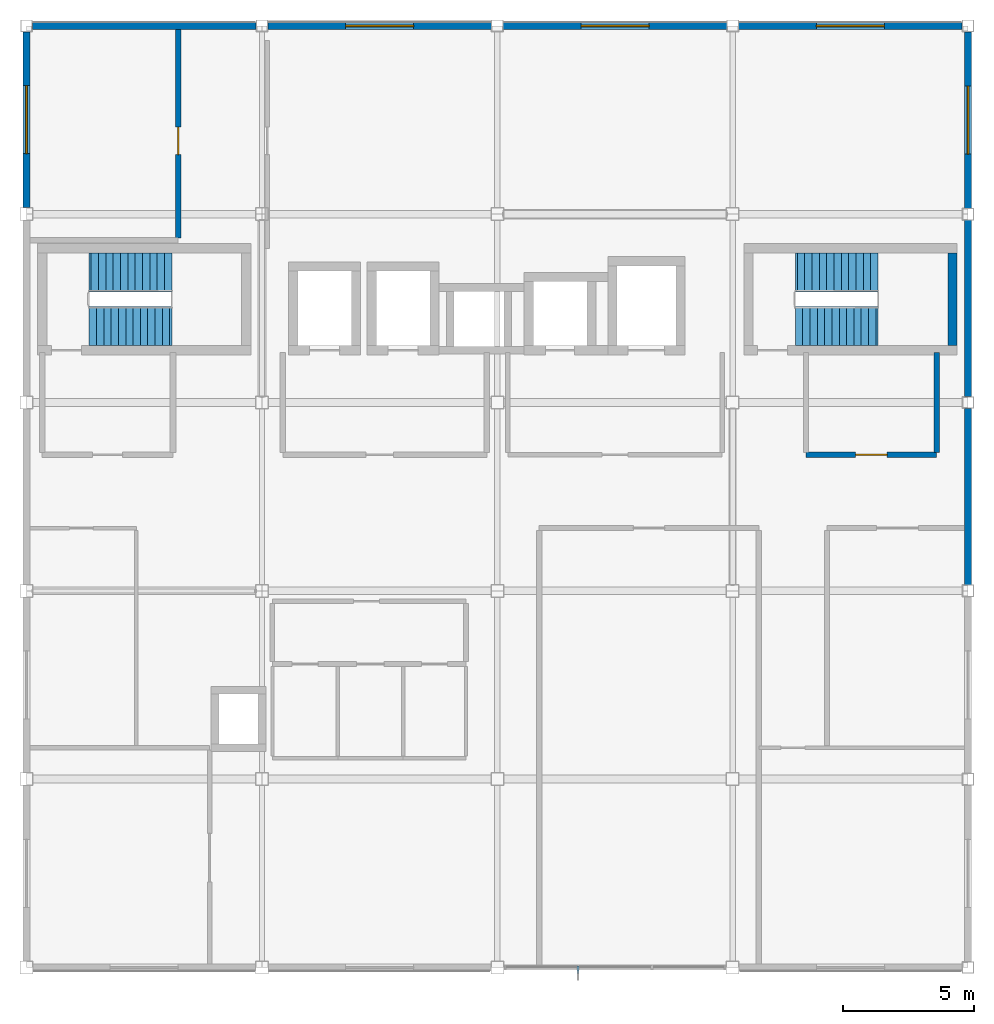
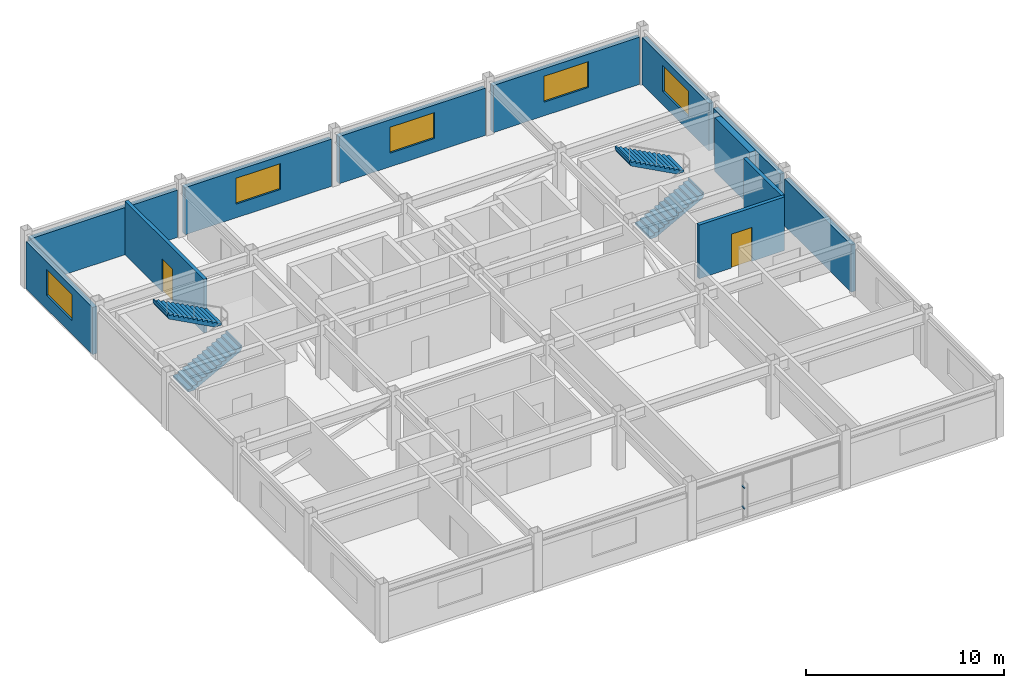
# One storey, part 6 of 7: 12 walls, 5 windows, 4 stair flights, 2 discrete accessories, 2 doors, 7 openings, 2 elements without a shape of their own.
"""IFC4 building model written with IfcOpenShell, lengths in metres."""

from ifc_helpers import new_model, si_unit, direction, frame, frame_2d, origin, origin_2d, place, context, subcontext, project, spatial, polyline, rectangle, outline, extrude, material, layer, layer_set, type_object, element, fill, aggregate, save


model = new_model("IFC4")

# Units and contexts
model_context = context("Model", 3, precision=1e-05, world=origin(), true_north=direction((0.0, 1.0)))
body_context = subcontext(model_context, "Body", "Model", "MODEL_VIEW")
ifc_project = project(units=[si_unit("LENGTHUNIT", "METRE"), si_unit("AREAUNIT", "SQUARE_METRE"), si_unit("VOLUMEUNIT", "CUBIC_METRE"), si_unit("PLANEANGLEUNIT", "RADIAN"), si_unit("MASSUNIT", "GRAM", prefix="KILO")], contexts=[model_context])

# Site, building, storey
site_placement = place(None, origin())
site = spatial("IfcSite", under=ifc_project, at=site_placement, CompositionType="ELEMENT")
building_placement = place(site_placement, origin())
building = spatial("IfcBuilding", under=site, at=building_placement, Name="Kazanami Central Library", CompositionType="ELEMENT")
storey_placement = place(building_placement, frame((0.0, 0.0, 27.800048828125)))
storey = spatial("IfcBuildingStorey", under=building, at=storey_placement, Name="L08", CompositionType="ELEMENT", Elevation=27.800048828125)

# Wall
ifc_material_1 = material(Name="Concrete Fc36 (36 MPa)", Category="concrete")
ifc_layer_1 = layer(ifc_material_1, 0.179931640625, Name="Concrete Fc36 (36 MPa)")
ifc_material_2 = material(Name="Extruded Polystyrene XPS", Category="earth")
ifc_layer_2 = layer(ifc_material_2, 0.050048828125, Name="Extruded Polystyrene XPS")
ifc_material_3 = material(Name="Honed Inada Granite", Category="masonry")
ifc_layer_3 = layer(ifc_material_3, 0.030029296875, Name="Honed Inada Granite")
ifc_layer_set_1 = layer_set([ifc_layer_1, ifc_layer_2, ifc_layer_3], Name="Concrete Fc36 (36 MPa)")
wall_type_1 = type_object("IfcWallType", Name="WAL-EW-260", PredefinedType="STANDARD", material=ifc_layer_set_1)
wall_1_placement = place(storey_placement, frame((134.77490234375, 93.60009765625, 0.0), z_axis=(0.0, 0.0, 1.0), x_axis=(-1.0, 0.0, 0.0)))
element("IfcWall", 1, at=wall_1_placement, inside=storey, type_object=wall_type_1, Name="Exterior Facade Wall EW-260 L08 N-O-14", PredefinedType="STANDARD", context=body_context, shape_type="SweptSolid", body=[
    extrude(rectangle(XDim=8.5498046875, YDim=0.260009765625, at=frame_2d((4.27490234375, 0.0))), origin(), (0.0, 0.0, 1.0), 2.9150390625),
])

# Wall, opening, window
wall_2_placement = place(storey_placement, frame((143.77490234375, 93.60009765625, 0.0), z_axis=(0.0, 0.0, 1.0), x_axis=(-1.0, 0.0, 0.0)))
wall_2 = element("IfcWall", 2, at=wall_2_placement, inside=storey, type_object=wall_type_1, Name="Exterior Facade Wall EW-260 L08 N-O-15", PredefinedType="STANDARD", context=body_context, shape_type="SweptSolid", body=[
    extrude(rectangle(XDim=8.5498046875, YDim=0.260009765625, at=frame_2d((4.27490234375, 0.0))), origin(), (0.0, 0.0, 1.0), 2.9150390625),
])
opening_1_placement = place(wall_2_placement, frame((2.97509765625, 0.0, 0.85009765625)))
opening_1 = element("IfcOpeningElement", 3, at=opening_1_placement, cuts=wall_2, Name="Opening WN-13", PredefinedType="OPENING", context=body_context, shape_type="SweptSolid", body=[
    extrude(rectangle(XDim=2.60009765625, YDim=1.60009765625, at=frame_2d((1.300048828125, 0.800048828125))), frame((0.0, 0.14208984375, 0.0), z_axis=(0.0, -1.0, 0.0), x_axis=(1.0, 0.0, 0.0)), (0.0, 0.0, 1.0), 0.283935546875),
])
ifc_material_4 = material(Name="Low-E Insulated Triple Glass", Category="glass")
window_type = type_object("IfcWindowType", Name="WIN-WN-13", PartitioningType="DOUBLE_PANEL_VERTICAL", PredefinedType="WINDOW", material=ifc_material_4)
window_1_placement = place(opening_1_placement, origin())
window_1 = element("IfcWindow", 4, at=window_1_placement, inside=storey, type_object=window_type, Name="Facade Window WN-13 L08 N-O-15", OverallHeight=1.60009765625, OverallWidth=2.60009765625, PartitioningType="DOUBLE_PANEL_VERTICAL", PredefinedType="WINDOW", context=body_context, shape_type="SweptSolid", body=[
    extrude(rectangle(XDim=2.60009765625, YDim=1.60009765625, at=frame_2d((1.300048828125, 0.800048828125))), frame((0.0, 0.030029296875, 0.0), z_axis=(0.0, -1.0, 0.0), x_axis=(1.0, 0.0, 0.0)), (0.0, 0.0, 1.0), 0.06005859375),
])
fill(opening_1, window_1)

wall_3_placement = place(storey_placement, frame((152.77490234375, 93.60009765625, 0.0), z_axis=(0.0, 0.0, 1.0), x_axis=(-1.0, 0.0, 0.0)))
wall_3 = element("IfcWall", 5, at=wall_3_placement, inside=storey, type_object=wall_type_1, Name="Exterior Facade Wall EW-260 L08 N-O-16", PredefinedType="STANDARD", context=body_context, shape_type="SweptSolid", body=[
    extrude(rectangle(XDim=8.5498046875, YDim=0.260009765625, at=frame_2d((4.27490234375, 0.0))), origin(), (0.0, 0.0, 1.0), 2.9150390625),
])
opening_2_placement = place(wall_3_placement, frame((2.97509765625, 0.0, 0.85009765625)))
opening_2 = element("IfcOpeningElement", 6, at=opening_2_placement, cuts=wall_3, Name="Opening WN-13", PredefinedType="OPENING", context=body_context, shape_type="SweptSolid", body=[
    extrude(rectangle(XDim=2.60009765625, YDim=1.60009765625, at=frame_2d((1.300048828125, 0.800048828125))), frame((0.0, 0.14208984375, 0.0), z_axis=(0.0, -1.0, 0.0), x_axis=(1.0, 0.0, 0.0)), (0.0, 0.0, 1.0), 0.283935546875),
])
window_2_placement = place(opening_2_placement, origin())
window_2 = element("IfcWindow", 7, at=window_2_placement, inside=storey, type_object=window_type, Name="Facade Window WN-13 L08 N-O-16", OverallHeight=1.60009765625, OverallWidth=2.60009765625, PartitioningType="DOUBLE_PANEL_VERTICAL", PredefinedType="WINDOW", context=body_context, shape_type="SweptSolid", body=[
    extrude(rectangle(XDim=2.60009765625, YDim=1.60009765625, at=frame_2d((1.300048828125, 0.800048828125))), frame((0.0, 0.030029296875, 0.0), z_axis=(0.0, -1.0, 0.0), x_axis=(1.0, 0.0, 0.0)), (0.0, 0.0, 1.0), 0.06005859375),
])
fill(opening_2, window_2)

wall_4_placement = place(storey_placement, frame((161.77490234375, 93.60009765625, 0.0), z_axis=(0.0, 0.0, 1.0), x_axis=(-1.0, 0.0, 0.0)))
wall_4 = element("IfcWall", 8, at=wall_4_placement, inside=storey, type_object=wall_type_1, Name="Exterior Facade Wall EW-260 L08 N-O-17", PredefinedType="STANDARD", context=body_context, shape_type="SweptSolid", body=[
    extrude(rectangle(XDim=8.5498046875, YDim=0.260009765625, at=frame_2d((4.27490234375, 0.0))), origin(), (0.0, 0.0, 1.0), 2.9150390625),
])
opening_3_placement = place(wall_4_placement, frame((2.97509765625, 0.0, 0.85009765625)))
opening_3 = element("IfcOpeningElement", 9, at=opening_3_placement, cuts=wall_4, Name="Opening WN-13", PredefinedType="OPENING", context=body_context, shape_type="SweptSolid", body=[
    extrude(rectangle(XDim=2.60009765625, YDim=1.60009765625, at=frame_2d((1.300048828125, 0.800048828125))), frame((0.0, 0.14208984375, 0.0), z_axis=(0.0, -1.0, 0.0), x_axis=(1.0, 0.0, 0.0)), (0.0, 0.0, 1.0), 0.283935546875),
])
window_3_placement = place(opening_3_placement, origin())
window_3 = element("IfcWindow", 10, at=window_3_placement, inside=storey, type_object=window_type, Name="Facade Window WN-13 L08 N-O-17", OverallHeight=1.60009765625, OverallWidth=2.60009765625, PartitioningType="DOUBLE_PANEL_VERTICAL", PredefinedType="WINDOW", context=body_context, shape_type="SweptSolid", body=[
    extrude(rectangle(XDim=2.60009765625, YDim=1.60009765625, at=frame_2d((1.300048828125, 0.800048828125))), frame((0.0, 0.030029296875, 0.0), z_axis=(0.0, -1.0, 0.0), x_axis=(1.0, 0.0, 0.0)), (0.0, 0.0, 1.0), 0.06005859375),
])
fill(opening_3, window_3)

wall_5_placement = place(storey_placement, frame((126.0, 86.64990234375, 0.0), z_axis=(0.0, 0.0, 1.0), x_axis=(0.0, 1.0, 0.0)))
wall_5 = element("IfcWall", 11, at=wall_5_placement, inside=storey, type_object=wall_type_1, Name="Exterior Facade Wall EW-260 L08 W-15-12", PredefinedType="STANDARD", context=body_context, shape_type="SweptSolid", body=[
    extrude(rectangle(XDim=6.72509765625, YDim=0.260009765625, at=frame_2d((3.362548828125, 0.0))), origin(), (0.0, 0.0, 1.0), 2.9150390625),
])
opening_4_placement = place(wall_5_placement, frame((2.0625, 0.0, 0.85009765625)))
opening_4 = element("IfcOpeningElement", 12, at=opening_4_placement, cuts=wall_5, Name="Opening WN-13", PredefinedType="OPENING", context=body_context, shape_type="SweptSolid", body=[
    extrude(rectangle(XDim=2.60009765625, YDim=1.60009765625, at=frame_2d((1.300048828125, 0.800048828125))), frame((0.0, 0.14208984375, 0.0), z_axis=(0.0, -1.0, 0.0), x_axis=(1.0, 0.0, 0.0)), (0.0, 0.0, 1.0), 0.283935546875),
])
window_4_placement = place(opening_4_placement, origin())
window_4 = element("IfcWindow", 13, at=window_4_placement, inside=storey, type_object=window_type, Name="Facade Window WN-13 L08 W-15-12", OverallHeight=1.60009765625, OverallWidth=2.60009765625, PartitioningType="DOUBLE_PANEL_VERTICAL", PredefinedType="WINDOW", context=body_context, shape_type="SweptSolid", body=[
    extrude(rectangle(XDim=2.60009765625, YDim=1.60009765625, at=frame_2d((1.300048828125, 0.800048828125))), frame((0.0, 0.030029296875, 0.0), z_axis=(0.0, -1.0, 0.0), x_axis=(1.0, 0.0, 0.0)), (0.0, 0.0, 1.0), 0.06005859375),
])
fill(opening_4, window_4)

# Walls
for number, where, z_axis, x_axis, name in (
    (14, (162.0, 78.97509765625, 0.0), (0.0, 0.0, 1.0), (0.0, -1.0, 0.0), "Exterior Facade Wall EW-260 L08 E-19-10"),
    (15, (162.0, 86.175048828125, 0.0), (0.0, 0.0, 1.0), (0.0, -1.0, 0.0), "Exterior Facade Wall EW-260 L08 E-19-11"),
):
    element("IfcWall", number, at=place(storey_placement, frame(where, z_axis=z_axis, x_axis=x_axis)), inside=storey, type_object=wall_type_1, Name=name, PredefinedType="STANDARD", context=body_context, shape_type="SweptSolid", body=[
        extrude(rectangle(XDim=6.75, YDim=0.260009765625, at=frame_2d((3.375, 0.0))), origin(), (0.0, 0.0, 1.0), 2.9150390625),
    ])

# Wall, opening, window
wall_6_placement = place(storey_placement, frame((162.0, 93.375, 0.0), z_axis=(0.0, 0.0, 1.0), x_axis=(0.0, -1.0, 0.0)))
wall_6 = element("IfcWall", 16, at=wall_6_placement, inside=storey, type_object=wall_type_1, Name="Exterior Facade Wall EW-260 L08 E-19-12", PredefinedType="STANDARD", context=body_context, shape_type="SweptSolid", body=[
    extrude(rectangle(XDim=6.75, YDim=0.260009765625, at=frame_2d((3.375, 0.0))), origin(), (0.0, 0.0, 1.0), 2.9150390625),
])
opening_5_placement = place(wall_6_placement, frame((2.074951171875, 0.0, 0.85009765625)))
opening_5 = element("IfcOpeningElement", 17, at=opening_5_placement, cuts=wall_6, Name="Opening WN-13", PredefinedType="OPENING", context=body_context, shape_type="SweptSolid", body=[
    extrude(rectangle(XDim=2.60009765625, YDim=1.60009765625, at=frame_2d((1.300048828125, 0.800048828125))), frame((0.0, 0.14208984375, 0.0), z_axis=(0.0, -1.0, 0.0), x_axis=(1.0, 0.0, 0.0)), (0.0, 0.0, 1.0), 0.283935546875),
])
window_5_placement = place(opening_5_placement, origin())
window_5 = element("IfcWindow", 18, at=window_5_placement, inside=storey, type_object=window_type, Name="Facade Window WN-13 L08 E-19-12", OverallHeight=1.60009765625, OverallWidth=2.60009765625, PartitioningType="DOUBLE_PANEL_VERTICAL", PredefinedType="WINDOW", context=body_context, shape_type="SweptSolid", body=[
    extrude(rectangle(XDim=2.60009765625, YDim=1.60009765625, at=frame_2d((1.300048828125, 0.800048828125))), frame((0.0, 0.030029296875, 0.0), z_axis=(0.0, -1.0, 0.0), x_axis=(1.0, 0.0, 0.0)), (0.0, 0.0, 1.0), 0.06005859375),
])
fill(opening_5, window_5)

# Wall, opening, door
ifc_material_5 = material(Name="Fire-Resistant Gypsum Board GB-F", Category="gypsum")
ifc_layer_4 = layer(ifc_material_5, 0.199951171875, Name="Fire-Resistant Gypsum Board GB-F")
ifc_layer_set_2 = layer_set([ifc_layer_4], Name="Fire-Resistant Gypsum Board GB-F")
wall_type_2 = type_object("IfcWallType", Name="WAL-FW-200", PredefinedType="PARTITIONING", material=ifc_layer_set_2)
wall_7_placement = place(storey_placement, frame((155.800048828125, 77.199951171875, 0.0), z_axis=(0.0, 0.0, 1.0), x_axis=(1.0, 0.0, 0.0)))
wall_7 = element("IfcWall", 19, at=wall_7_placement, inside=storey, type_object=wall_type_2, Name="Interior Partition FW-200 L08 VEST-ST-02 (South)", PredefinedType="PARTITIONING", context=body_context, shape_type="SweptSolid", body=[
    extrude(rectangle(XDim=5.0, YDim=0.199951171875, at=frame_2d((2.5, 0.0))), origin(), (0.0, 0.0, 1.0), 3.31494140625),
])
opening_6_placement = place(wall_7_placement, frame((1.89990234375, 0.0, 0.0)))
opening_6 = element("IfcOpeningElement", 20, at=opening_6_placement, cuts=wall_7, Name="Opening FD60-1", PredefinedType="OPENING", context=body_context, shape_type="SweptSolid", body=[
    extrude(rectangle(XDim=1.199951171875, YDim=2.10009765625, at=frame_2d((0.60009765625, 1.050048828125))), frame((0.0, 0.11181640625, 0.0), z_axis=(0.0, -1.0, 0.0), x_axis=(1.0, 0.0, 0.0)), (0.0, 0.0, 1.0), 0.223876953125),
])
ifc_material_6 = material(Name="Cold-Rolled Steel SPCC", Category="steel")
door_type_1 = type_object("IfcDoorType", Name="DOR-FD60-1", OperationType="NOTDEFINED", PredefinedType="DOOR", material=ifc_material_6)
door_1_placement = place(opening_6_placement, origin())
door_1 = element("IfcDoor", 21, at=door_1_placement, inside=storey, type_object=door_type_1, Name="Interior Door FD60-1 L08 VEST-ST-02", OperationType="SINGLE_SWING_RIGHT", OverallHeight=2.10009765625, OverallWidth=1.199951171875, PredefinedType="DOOR", context=body_context, shape_type="SweptSolid", body=[
    extrude(rectangle(XDim=1.199951171875, YDim=2.10009765625, at=frame_2d((0.60009765625, 1.050048828125))), frame((0.0, 0.02490234375, 0.0), z_axis=(0.0, -1.0, 0.0), x_axis=(1.0, 0.0, 0.0)), (0.0, 0.0, 1.0), 0.050048828125),
])
fill(opening_6, door_1)

# Wall
wall_8_placement = place(storey_placement, frame((160.800048828125, 77.2900390625, 0.0), z_axis=(0.0, 0.0, 1.0), x_axis=(0.0, 1.0, 0.0)))
element("IfcWall", 22, at=wall_8_placement, inside=storey, type_object=wall_type_2, Name="Interior Partition FW-200 L08 VEST-ST-02 (East)", PredefinedType="PARTITIONING", context=body_context, shape_type="SweptSolid", body=[
    extrude(rectangle(XDim=3.820068359375, YDim=0.199951171875, at=frame_2d((1.91015625, 0.0))), origin(), (0.0, 0.0, 1.0), 3.31494140625),
])

# Wall, opening, door
wall_9_placement = place(storey_placement, frame((131.800048828125, 85.489990234375, 0.0), z_axis=(0.0, 0.0, 1.0), x_axis=(0.0, 1.0, 0.0)))
wall_9 = element("IfcWall", 23, at=wall_9_placement, inside=storey, type_object=wall_type_2, Name="Interior Partition FW-200 L08 RM-13 (East)", PredefinedType="PARTITIONING", context=body_context, shape_type="SweptSolid", body=[
    extrude(rectangle(XDim=7.97509765625, YDim=0.199951171875, at=frame_2d((3.987548828125, 0.0))), origin(), (0.0, 0.0, 1.0), 3.31494140625),
])
opening_7_placement = place(wall_9_placement, frame((3.18505859375, 0.0, 0.0)))
opening_7 = element("IfcOpeningElement", 24, at=opening_7_placement, cuts=wall_9, Name="Opening FD60-8", PredefinedType="OPENING", context=body_context, shape_type="SweptSolid", body=[
    extrude(rectangle(XDim=1.050048828125, YDim=2.02001953125, at=frame_2d((0.52490234375, 1.010009765625))), frame((0.0, 0.11181640625, 0.0), z_axis=(0.0, -1.0, 0.0), x_axis=(1.0, 0.0, 0.0)), (0.0, 0.0, 1.0), 0.223876953125),
])
door_type_2 = type_object("IfcDoorType", Name="DOR-FD60-8", OperationType="NOTDEFINED", PredefinedType="DOOR", material=ifc_material_6)
door_2_placement = place(opening_7_placement, origin())
door_2 = element("IfcDoor", 25, at=door_2_placement, inside=storey, type_object=door_type_2, Name="Interior Door FD60-8 L08 RM-13", OperationType="SINGLE_SWING_RIGHT", OverallHeight=2.02001953125, OverallWidth=1.050048828125, PredefinedType="DOOR", context=body_context, shape_type="SweptSolid", body=[
    extrude(rectangle(XDim=1.050048828125, YDim=2.02001953125, at=frame_2d((0.52490234375, 1.010009765625))), frame((0.0, 0.02490234375, 0.0), z_axis=(0.0, -1.0, 0.0), x_axis=(1.0, 0.0, 0.0)), (0.0, 0.0, 1.0), 0.050048828125),
])
fill(opening_7, door_2)

# Wall
ifc_layer_5 = layer(ifc_material_1, 0.35009765625, Name="Concrete Fc36 (36 MPa)")
ifc_layer_set_3 = layer_set([ifc_layer_5], Name="Concrete Fc36 (36 MPa)")
wall_type_3 = type_object("IfcWallType", Name="WAL-SW-350", PredefinedType="SHEAR", material=ifc_layer_set_3)
wall_10_placement = place(storey_placement, frame((161.39990234375, 81.375, 0.0), z_axis=(0.0, 0.0, 1.0), x_axis=(0.0, 1.0, 0.0)))
element("IfcWall", 26, at=wall_10_placement, inside=storey, type_object=wall_type_3, Name="Stair Core Wall ST-02 East L08", PredefinedType="SHEAR", context=body_context, shape_type="SweptSolid", body=[
    extrude(rectangle(XDim=3.550048828125, YDim=0.35009765625, at=frame_2d((1.77490234375, 0.0))), origin(), (0.0, 0.0, 1.0), 3.31494140625),
])

# Stair, stair flights
stair_type = type_object("IfcStairType", Name="STR-T36", PredefinedType="HALF_TURN_STAIR", material=ifc_material_1)
stair_1_placement = place(storey_placement, origin())
stair_1 = element("IfcStair", 27, at=stair_1_placement, inside=storey, type_object=stair_type, Name="Enclosed Escape Stair ST-01 (L08)", PredefinedType="HALF_TURN_STAIR")
stair_flight_type = type_object("IfcStairFlightType", Name="FLT-STR-T36", PredefinedType="STRAIGHT", material=ifc_material_1)
stair_flight_1_placement = place(storey_placement, frame((128.39404296875, 82.125, 0.0), z_axis=(0.0, 0.0, 1.0), x_axis=(1.0, 0.0, 0.0)))
stair_flight_1 = element("IfcStairFlight", 28, at=stair_flight_1_placement, type_object=stair_flight_type, Name="ST-01 flight 1", NumberOfRisers=12, NumberOfTreads=11, PredefinedType="STRAIGHT", RiserHeight=0.15, TreadLength=0.28, context=body_context, shape_type="SweptSolid", body=[
    extrude(outline(polyline([(0.0, 0.0), (0.0, 0.14990234375), (0.280029296875, 0.14990234375), (0.280029296875, 0.300048828125), (0.56005859375, 0.300048828125), (0.56005859375, 0.449951171875), (0.840087890625, 0.449951171875), (0.840087890625, 0.60009765625), (1.1201171875, 0.60009765625), (1.1201171875, 0.75), (1.39990234375, 0.75), (1.39990234375, 0.89990234375), (1.679931640625, 0.89990234375), (1.679931640625, 1.050048828125), (1.9599609375, 1.050048828125), (1.9599609375, 1.199951171875), (2.239990234375, 1.199951171875), (2.239990234375, 1.35009765625), (2.52001953125, 1.35009765625), (2.52001953125, 1.5), (2.800048828125, 1.5), (2.800048828125, 1.64990234375), (3.080078125, 1.64990234375), (3.080078125, 1.800048828125), (3.16015625, 1.800048828125), (3.16015625, 1.6201171875), (3.080078125, 1.44580078125), (0.381103515625, 0.0), (0.0, 0.0)])), frame((0.0, 0.75, 0.0), z_axis=(0.0, -1.0, 0.0), x_axis=(1.0, 0.0, 0.0)), (0.0, 0.0, 1.0), 1.5),
])
stair_flight_2_placement = place(storey_placement, frame((131.553955078125, 84.175048828125, 1.800048828125), z_axis=(0.0, 0.0, 1.0), x_axis=(-1.0, 0.0, 0.0)))
stair_flight_2 = element("IfcStairFlight", 29, at=stair_flight_2_placement, type_object=stair_flight_type, Name="ST-01 flight 2", NumberOfRisers=12, NumberOfTreads=11, PredefinedType="STRAIGHT", RiserHeight=0.15, TreadLength=0.28, context=body_context, shape_type="SweptSolid", body=[
    extrude(outline(polyline([(0.0, 0.0), (0.0, 0.14990234375), (0.280029296875, 0.14990234375), (0.280029296875, 0.300048828125), (0.56005859375, 0.300048828125), (0.56005859375, 0.449951171875), (0.840087890625, 0.449951171875), (0.840087890625, 0.60009765625), (1.1201171875, 0.60009765625), (1.1201171875, 0.75), (1.39990234375, 0.75), (1.39990234375, 0.89990234375), (1.679931640625, 0.89990234375), (1.679931640625, 1.050048828125), (1.9599609375, 1.050048828125), (1.9599609375, 1.199951171875), (2.239990234375, 1.199951171875), (2.239990234375, 1.35009765625), (2.52001953125, 1.35009765625), (2.52001953125, 1.5), (2.800048828125, 1.5), (2.800048828125, 1.64990234375), (3.080078125, 1.64990234375), (3.080078125, 1.800048828125), (3.16015625, 1.800048828125), (3.16015625, 1.6201171875), (3.080078125, 1.44580078125), (0.381103515625, 0.0), (0.0, 0.0)])), frame((0.0, 0.75, 0.0), z_axis=(0.0, -1.0, 0.0), x_axis=(1.0, 0.0, 0.0)), (0.0, 0.0, 1.0), 1.5),
])
aggregate(stair_1, [stair_flight_1, stair_flight_2])

stair_2_placement = place(storey_placement, origin())
stair_2 = element("IfcStair", 30, at=stair_2_placement, inside=storey, type_object=stair_type, Name="Enclosed Escape Stair ST-02 (L08)", PredefinedType="HALF_TURN_STAIR")
stair_flight_3_placement = place(storey_placement, frame((155.39404296875, 82.125, 0.0), z_axis=(0.0, 0.0, 1.0), x_axis=(1.0, 0.0, 0.0)))
stair_flight_3 = element("IfcStairFlight", 31, at=stair_flight_3_placement, type_object=stair_flight_type, Name="ST-02 flight 1", NumberOfRisers=12, NumberOfTreads=11, PredefinedType="STRAIGHT", RiserHeight=0.15, TreadLength=0.28, context=body_context, shape_type="SweptSolid", body=[
    extrude(outline(polyline([(0.0, 0.0), (0.0, 0.14990234375), (0.280029296875, 0.14990234375), (0.280029296875, 0.300048828125), (0.56005859375, 0.300048828125), (0.56005859375, 0.449951171875), (0.840087890625, 0.449951171875), (0.840087890625, 0.60009765625), (1.1201171875, 0.60009765625), (1.1201171875, 0.75), (1.39990234375, 0.75), (1.39990234375, 0.89990234375), (1.679931640625, 0.89990234375), (1.679931640625, 1.050048828125), (1.9599609375, 1.050048828125), (1.9599609375, 1.199951171875), (2.239990234375, 1.199951171875), (2.239990234375, 1.35009765625), (2.52001953125, 1.35009765625), (2.52001953125, 1.5), (2.800048828125, 1.5), (2.800048828125, 1.64990234375), (3.080078125, 1.64990234375), (3.080078125, 1.800048828125), (3.16015625, 1.800048828125), (3.16015625, 1.6201171875), (3.080078125, 1.44580078125), (0.381103515625, 0.0), (0.0, 0.0)])), frame((0.0, 0.75, 0.0), z_axis=(0.0, -1.0, 0.0), x_axis=(1.0, 0.0, 0.0)), (0.0, 0.0, 1.0), 1.5),
])
stair_flight_4_placement = place(storey_placement, frame((158.553955078125, 84.175048828125, 1.800048828125), z_axis=(0.0, 0.0, 1.0), x_axis=(-1.0, 0.0, 0.0)))
stair_flight_4 = element("IfcStairFlight", 32, at=stair_flight_4_placement, type_object=stair_flight_type, Name="ST-02 flight 2", NumberOfRisers=12, NumberOfTreads=11, PredefinedType="STRAIGHT", RiserHeight=0.15, TreadLength=0.28, context=body_context, shape_type="SweptSolid", body=[
    extrude(outline(polyline([(0.0, 0.0), (0.0, 0.14990234375), (0.280029296875, 0.14990234375), (0.280029296875, 0.300048828125), (0.56005859375, 0.300048828125), (0.56005859375, 0.449951171875), (0.840087890625, 0.449951171875), (0.840087890625, 0.60009765625), (1.1201171875, 0.60009765625), (1.1201171875, 0.75), (1.39990234375, 0.75), (1.39990234375, 0.89990234375), (1.679931640625, 0.89990234375), (1.679931640625, 1.050048828125), (1.9599609375, 1.050048828125), (1.9599609375, 1.199951171875), (2.239990234375, 1.199951171875), (2.239990234375, 1.35009765625), (2.52001953125, 1.35009765625), (2.52001953125, 1.5), (2.800048828125, 1.5), (2.800048828125, 1.64990234375), (3.080078125, 1.64990234375), (3.080078125, 1.800048828125), (3.16015625, 1.800048828125), (3.16015625, 1.6201171875), (3.080078125, 1.44580078125), (0.381103515625, 0.0), (0.0, 0.0)])), frame((0.0, 0.75, 0.0), z_axis=(0.0, -1.0, 0.0), x_axis=(1.0, 0.0, 0.0)), (0.0, 0.0, 1.0), 1.5),
])
aggregate(stair_2, [stair_flight_3, stair_flight_4])

# Discrete accessories
ifc_material_7 = material(Name="Stainless Steel SUS304", Category="steel")
discrete_accessory_type = type_object("IfcDiscreteAccessoryType", Name="ACC-BRK-1", PredefinedType="BRACKET", material=ifc_material_7)
for number, where, z_axis, x_axis, name in (
    (33, (147.083251953125, 57.510009765625, 0.787353515625), (0.0, 0.0, 1.0), (1.0, 0.0, 0.0), "Solar Fin Outrigger Bracket L08 S-J-16.1.1"),
    (34, (147.083251953125, 57.510009765625, 2.04736328125), (0.0, 0.0, 1.0), (1.0, 0.0, 0.0), "Solar Fin Outrigger Bracket L08 S-J-16.1.2"),
):
    element("IfcDiscreteAccessory", number, at=place(storey_placement, frame(where, z_axis=z_axis, x_axis=x_axis)), inside=storey, type_object=discrete_accessory_type, Name=name, PredefinedType="BRACKET", context=body_context, shape_type="SweptSolid", body=[
        extrude(rectangle(XDim=0.080078125, YDim=0.280029296875, at=origin_2d()), origin(), (0.0, 0.0, 1.0), 0.080078125),
    ])

save(model, "model.ifc")
